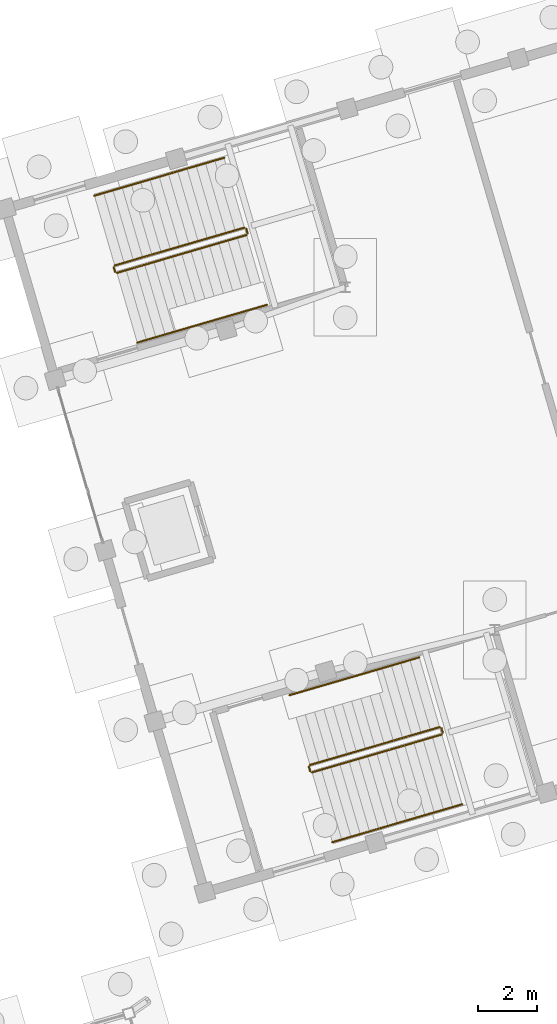
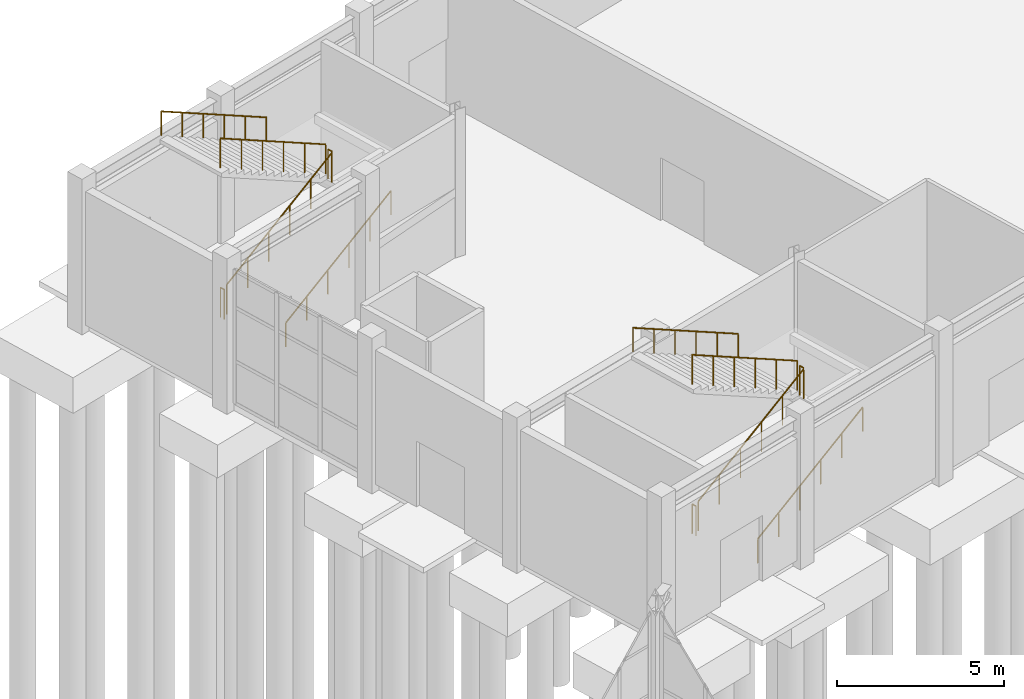
# One storey, part 85 of 90: 12 railings.
"""IFC4 building model written with IfcOpenShell, lengths in metres."""

from ifc_helpers import new_model, si_unit, direction, frame, origin, origin_2d, place, context, subcontext, project, spatial, circle, extrude, material, type_object, element, save


model = new_model("IFC4")

# Units and contexts
model_context = context("Model", 3, precision=1e-05, world=origin(), true_north=direction((0.0, 1.0)))
body_context = subcontext(model_context, "Body", "Model", "MODEL_VIEW")
ifc_project = project(units=[si_unit("LENGTHUNIT", "METRE"), si_unit("AREAUNIT", "SQUARE_METRE"), si_unit("VOLUMEUNIT", "CUBIC_METRE"), si_unit("PLANEANGLEUNIT", "RADIAN"), si_unit("MASSUNIT", "GRAM", prefix="KILO")], contexts=[model_context])

# Site, building, storey
site_placement = place(None, origin())
site = spatial("IfcSite", under=ifc_project, at=site_placement, CompositionType="ELEMENT")
building_placement = place(site_placement, origin())
building = spatial("IfcBuilding", under=site, at=building_placement, Name="Canggui Botanical Conservatory", CompositionType="ELEMENT")
storey_placement = place(building_placement, origin())
storey = spatial("IfcBuildingStorey", under=building, at=storey_placement, Name="L01", CompositionType="ELEMENT", Elevation=0.0)

# Railings
ifc_material = material(Name="Stainless Steel 304", Category="steel")
railing_type_1 = type_object("IfcRailingType", Name="RAIL-GUARD-1100", PredefinedType="BALUSTRADE", material=ifc_material)
railing_1_placement = place(storey_placement, frame((69.6123046875, 94.043212890625, 0.179931640625)))
element("IfcRailing", 1, at=railing_1_placement, inside=storey, type_object=railing_type_1, Name="L01 ST-A1 stair guard 1", PredefinedType="BALUSTRADE", context=body_context, shape_type="SweptSolid", body=[
    extrude(circle(Radius=0.02392578125, at=origin_2d()), frame((0.0, 0.0, 1.076171875), z_axis=(0.839810405543, 0.244921232737, 0.48449156081), x_axis=(-0.279975275375, 0.960007211003, 0.0)), (0.0, 0.0, 1.0), 5.201416015625),
    extrude(circle(Radius=0.02099609375, at=origin_2d()), origin(), (0.0, 0.0, 1.0), 1.052001953125),
    extrude(circle(Radius=0.02099609375, at=origin_2d()), frame((0.87353515625, 0.2548828125, 0.50390625)), (0.0, 0.0, 1.0), 1.052001953125),
    extrude(circle(Radius=0.02099609375, at=origin_2d()), frame((1.747314453125, 0.509521484375, 1.008056640625)), (0.0, 0.0, 1.0), 1.052001953125),
    extrude(circle(Radius=0.02099609375, at=origin_2d()), frame((2.620849609375, 0.764404296875, 1.511962890625)), (0.0, 0.0, 1.0), 1.052001953125),
    extrude(circle(Radius=0.02099609375, at=origin_2d()), frame((3.49462890625, 1.01904296875, 2.01611328125)), (0.0, 0.0, 1.0), 1.052001953125),
    extrude(circle(Radius=0.02099609375, at=origin_2d()), frame((4.3681640625, 1.27392578125, 2.52001953125)), (0.0, 0.0, 1.0), 1.052001953125),
])
railing_2_placement = place(storey_placement, frame((74.014404296875, 95.379150390625, 2.699951171875)))
element("IfcRailing", 2, at=railing_2_placement, inside=storey, type_object=railing_type_1, Name="L01 ST-A1 stair guard 2", PredefinedType="BALUSTRADE", context=body_context, shape_type="SweptSolid", body=[
    extrude(circle(Radius=0.02392578125, at=origin_2d()), frame((0.0, 0.0, 1.076171875), z_axis=(-0.28076163037, 0.959777529906, 0.0), x_axis=(-0.959777529906, -0.28076163037, 0.0)), (0.0, 0.0, 1.0), 0.159912109375),
    extrude(circle(Radius=0.02099609375, at=origin_2d()), origin(), (0.0, 0.0, 1.0), 1.052001953125),
    extrude(circle(Radius=0.02099609375, at=origin_2d()), frame((-0.044921875, 0.153564453125, 0.0)), (0.0, 0.0, 1.0), 1.052001953125),
])
railing_3_placement = place(storey_placement, frame((73.90771484375, 95.56689453125, 2.8798828125)))
element("IfcRailing", 3, at=railing_3_placement, inside=storey, type_object=railing_type_1, Name="L01 ST-A1 stair guard 3", PredefinedType="BALUSTRADE", context=body_context, shape_type="SweptSolid", body=[
    extrude(circle(Radius=0.02392578125, at=origin_2d()), frame((0.0, 0.0, 1.076171875), z_axis=(-0.839800750279, -0.244965354108, 0.484485990631), x_axis=(0.280024724067, -0.959992788468, 0.0)), (0.0, 0.0, 1.0), 5.201416015625),
    extrude(circle(Radius=0.02099609375, at=origin_2d()), origin(), (0.0, 0.0, 1.0), 1.052001953125),
    extrude(circle(Radius=0.02099609375, at=origin_2d()), frame((-0.87353515625, -0.2548828125, 0.50390625)), (0.0, 0.0, 1.0), 1.052001953125),
    extrude(circle(Radius=0.02099609375, at=origin_2d()), frame((-1.747314453125, -0.509765625, 1.008056640625)), (0.0, 0.0, 1.0), 1.052001953125),
    extrude(circle(Radius=0.02099609375, at=origin_2d()), frame((-2.620849609375, -0.764404296875, 1.511962890625)), (0.0, 0.0, 1.0), 1.052001953125),
    extrude(circle(Radius=0.02099609375, at=origin_2d()), frame((-3.49462890625, -1.019287109375, 2.01611328125)), (0.0, 0.0, 1.0), 1.052001953125),
    extrude(circle(Radius=0.02099609375, at=origin_2d()), frame((-4.3681640625, -1.274169921875, 2.52001953125)), (0.0, 0.0, 1.0), 1.052001953125),
])
railing_4_placement = place(storey_placement, frame((69.55029296875, 94.0771484375, 0.0)))
element("IfcRailing", 4, at=railing_4_placement, inside=storey, type_object=railing_type_1, Name="L01 ST-A1 stair guard 4", PredefinedType="BALUSTRADE", context=body_context, shape_type="SweptSolid", body=[
    extrude(circle(Radius=0.02392578125, at=origin_2d()), frame((0.0, 0.0, 1.076171875), z_axis=(-0.279355130244, 0.960187852041, 0.0), x_axis=(-0.960187852041, -0.279355130244, 0.0)), (0.0, 0.0, 1.0), 0.159912109375),
    extrude(circle(Radius=0.02099609375, at=origin_2d()), origin(), (0.0, 0.0, 1.0), 1.052001953125),
    extrude(circle(Radius=0.02099609375, at=origin_2d()), frame((-0.044677734375, 0.153564453125, 0.0)), (0.0, 0.0, 1.0), 1.052001953125),
])
railing_5_placement = place(storey_placement, frame((63.036376953125, 110.875244140625, 0.179931640625)))
element("IfcRailing", 5, at=railing_5_placement, inside=storey, type_object=railing_type_1, Name="L01 ST-A2 stair guard 1", PredefinedType="BALUSTRADE", context=body_context, shape_type="SweptSolid", body=[
    extrude(circle(Radius=0.02392578125, at=origin_2d()), frame((0.0, 0.0, 1.076171875), z_axis=(0.8397965713, 0.244930887544, 0.484510659491), x_axis=(-0.279989697565, 0.960003004817, 0.0)), (0.0, 0.0, 1.0), 5.201171875),
    extrude(circle(Radius=0.02099609375, at=origin_2d()), origin(), (0.0, 0.0, 1.0), 1.052001953125),
    extrude(circle(Radius=0.02099609375, at=origin_2d()), frame((0.87353515625, 0.2548828125, 0.50390625)), (0.0, 0.0, 1.0), 1.052001953125),
    extrude(circle(Radius=0.02099609375, at=origin_2d()), frame((1.7470703125, 0.509521484375, 1.008056640625)), (0.0, 0.0, 1.0), 1.052001953125),
    extrude(circle(Radius=0.02099609375, at=origin_2d()), frame((2.620849609375, 0.764404296875, 1.511962890625)), (0.0, 0.0, 1.0), 1.052001953125),
    extrude(circle(Radius=0.02099609375, at=origin_2d()), frame((3.494384765625, 1.01904296875, 2.01611328125)), (0.0, 0.0, 1.0), 1.052001953125),
    extrude(circle(Radius=0.02099609375, at=origin_2d()), frame((4.367919921875, 1.27392578125, 2.52001953125)), (0.0, 0.0, 1.0), 1.052001953125),
])
railing_6_placement = place(storey_placement, frame((67.4384765625, 112.211181640625, 2.699951171875)))
element("IfcRailing", 6, at=railing_6_placement, inside=storey, type_object=railing_type_1, Name="L01 ST-A2 stair guard 2", PredefinedType="BALUSTRADE", context=body_context, shape_type="SweptSolid", body=[
    extrude(circle(Radius=0.02392578125, at=origin_2d()), frame((0.0, 0.0, 1.076171875), z_axis=(-0.28076163037, 0.959777529906, 0.0), x_axis=(-0.959777529906, -0.28076163037, 0.0)), (0.0, 0.0, 1.0), 0.159912109375),
    extrude(circle(Radius=0.02099609375, at=origin_2d()), origin(), (0.0, 0.0, 1.0), 1.052001953125),
    extrude(circle(Radius=0.02099609375, at=origin_2d()), frame((-0.044921875, 0.153564453125, 0.0)), (0.0, 0.0, 1.0), 1.052001953125),
])
railing_7_placement = place(storey_placement, frame((67.33154296875, 112.398681640625, 2.8798828125)))
element("IfcRailing", 7, at=railing_7_placement, inside=storey, type_object=railing_type_1, Name="L01 ST-A2 stair guard 3", PredefinedType="BALUSTRADE", context=body_context, shape_type="SweptSolid", body=[
    extrude(circle(Radius=0.02392578125, at=origin_2d()), frame((0.0, 0.0, 1.076171875), z_axis=(-0.8397965713, -0.244930887544, 0.484510659491), x_axis=(0.279989697565, -0.960003004817, 0.0)), (0.0, 0.0, 1.0), 5.201171875),
    extrude(circle(Radius=0.02099609375, at=origin_2d()), origin(), (0.0, 0.0, 1.0), 1.052001953125),
    extrude(circle(Radius=0.02099609375, at=origin_2d()), frame((-0.87353515625, -0.2548828125, 0.50390625)), (0.0, 0.0, 1.0), 1.052001953125),
    extrude(circle(Radius=0.02099609375, at=origin_2d()), frame((-1.7470703125, -0.509521484375, 1.008056640625)), (0.0, 0.0, 1.0), 1.052001953125),
    extrude(circle(Radius=0.02099609375, at=origin_2d()), frame((-2.620849609375, -0.764404296875, 1.511962890625)), (0.0, 0.0, 1.0), 1.052001953125),
    extrude(circle(Radius=0.02099609375, at=origin_2d()), frame((-3.494384765625, -1.01904296875, 2.01611328125)), (0.0, 0.0, 1.0), 1.052001953125),
    extrude(circle(Radius=0.02099609375, at=origin_2d()), frame((-4.367919921875, -1.27392578125, 2.52001953125)), (0.0, 0.0, 1.0), 1.052001953125),
])
railing_8_placement = place(storey_placement, frame((62.974365234375, 110.9091796875, 0.0)))
element("IfcRailing", 8, at=railing_8_placement, inside=storey, type_object=railing_type_1, Name="L01 ST-A2 stair guard 4", PredefinedType="BALUSTRADE", context=body_context, shape_type="SweptSolid", body=[
    extrude(circle(Radius=0.02392578125, at=origin_2d()), frame((0.0, 0.0, 1.076171875), z_axis=(-0.279355130244, 0.960187852041, 0.0), x_axis=(-0.960187852041, -0.279355130244, 0.0)), (0.0, 0.0, 1.0), 0.159912109375),
    extrude(circle(Radius=0.02099609375, at=origin_2d()), origin(), (0.0, 0.0, 1.0), 1.052001953125),
    extrude(circle(Radius=0.02099609375, at=origin_2d()), frame((-0.044677734375, 0.153564453125, 0.0)), (0.0, 0.0, 1.0), 1.052001953125),
])
railing_type_2 = type_object("IfcRailingType", Name="RAIL-HAND-900", PredefinedType="HANDRAIL", material=ifc_material)
railing_9_placement = place(storey_placement, frame((70.29833984375, 91.691162109375, 0.179931640625)))
element("IfcRailing", 9, at=railing_9_placement, inside=storey, type_object=railing_type_2, Name="L01 ST-A1 stair handrail 1", PredefinedType="HANDRAIL", context=body_context, shape_type="SweptSolid", body=[
    extrude(circle(Radius=0.02392578125, at=origin_2d()), frame((0.0, 0.0, 0.8759765625), z_axis=(0.839810405543, 0.244921232737, 0.48449156081), x_axis=(-0.279975275375, 0.960007211003, 0.0)), (0.0, 0.0, 1.0), 5.201416015625),
    extrude(circle(Radius=0.02099609375, at=origin_2d()), origin(), (0.0, 0.0, 1.0), 0.851806640625),
    extrude(circle(Radius=0.02099609375, at=origin_2d()), frame((0.87353515625, 0.2548828125, 0.50390625)), (0.0, 0.0, 1.0), 0.851806640625),
    extrude(circle(Radius=0.02099609375, at=origin_2d()), frame((1.747314453125, 0.509521484375, 1.008056640625)), (0.0, 0.0, 1.0), 0.851806640625),
    extrude(circle(Radius=0.02099609375, at=origin_2d()), frame((2.620849609375, 0.764404296875, 1.511962890625)), (0.0, 0.0, 1.0), 0.851806640625),
    extrude(circle(Radius=0.02099609375, at=origin_2d()), frame((3.49462890625, 1.01904296875, 2.01611328125)), (0.0, 0.0, 1.0), 0.851806640625),
    extrude(circle(Radius=0.02099609375, at=origin_2d()), frame((4.3681640625, 1.27392578125, 2.52001953125)), (0.0, 0.0, 1.0), 0.851806640625),
])
railing_10_placement = place(storey_placement, frame((73.2216796875, 97.918701171875, 2.8798828125)))
element("IfcRailing", 10, at=railing_10_placement, inside=storey, type_object=railing_type_2, Name="L01 ST-A1 stair handrail 2", PredefinedType="HANDRAIL", context=body_context, shape_type="SweptSolid", body=[
    extrude(circle(Radius=0.02392578125, at=origin_2d()), frame((0.0, 0.0, 0.8759765625), z_axis=(-0.839810405543, -0.244921232737, 0.48449156081), x_axis=(0.279975275375, -0.960007211003, 0.0)), (0.0, 0.0, 1.0), 5.201416015625),
    extrude(circle(Radius=0.02099609375, at=origin_2d()), origin(), (0.0, 0.0, 1.0), 0.851806640625),
    extrude(circle(Radius=0.02099609375, at=origin_2d()), frame((-0.87353515625, -0.2548828125, 0.50390625)), (0.0, 0.0, 1.0), 0.851806640625),
    extrude(circle(Radius=0.02099609375, at=origin_2d()), frame((-1.747314453125, -0.509521484375, 1.008056640625)), (0.0, 0.0, 1.0), 0.851806640625),
    extrude(circle(Radius=0.02099609375, at=origin_2d()), frame((-2.620849609375, -0.764404296875, 1.511962890625)), (0.0, 0.0, 1.0), 0.851806640625),
    extrude(circle(Radius=0.02099609375, at=origin_2d()), frame((-3.49462890625, -1.01904296875, 2.01611328125)), (0.0, 0.0, 1.0), 0.851806640625),
    extrude(circle(Radius=0.02099609375, at=origin_2d()), frame((-4.3681640625, -1.27392578125, 2.52001953125)), (0.0, 0.0, 1.0), 0.851806640625),
])
railing_11_placement = place(storey_placement, frame((63.722412109375, 108.523193359375, 0.179931640625)))
element("IfcRailing", 11, at=railing_11_placement, inside=storey, type_object=railing_type_2, Name="L01 ST-A2 stair handrail 1", PredefinedType="HANDRAIL", context=body_context, shape_type="SweptSolid", body=[
    extrude(circle(Radius=0.02392578125, at=origin_2d()), frame((0.0, 0.0, 0.8759765625), z_axis=(0.8397965713, 0.244930887544, 0.484510659491), x_axis=(-0.279989697565, 0.960003004817, 0.0)), (0.0, 0.0, 1.0), 5.201171875),
    extrude(circle(Radius=0.02099609375, at=origin_2d()), origin(), (0.0, 0.0, 1.0), 0.851806640625),
    extrude(circle(Radius=0.02099609375, at=origin_2d()), frame((0.87353515625, 0.2548828125, 0.50390625)), (0.0, 0.0, 1.0), 0.851806640625),
    extrude(circle(Radius=0.02099609375, at=origin_2d()), frame((1.7470703125, 0.509521484375, 1.008056640625)), (0.0, 0.0, 1.0), 0.851806640625),
    extrude(circle(Radius=0.02099609375, at=origin_2d()), frame((2.620849609375, 0.764404296875, 1.511962890625)), (0.0, 0.0, 1.0), 0.851806640625),
    extrude(circle(Radius=0.02099609375, at=origin_2d()), frame((3.494384765625, 1.01904296875, 2.01611328125)), (0.0, 0.0, 1.0), 0.851806640625),
    extrude(circle(Radius=0.02099609375, at=origin_2d()), frame((4.367919921875, 1.27392578125, 2.52001953125)), (0.0, 0.0, 1.0), 0.851806640625),
])
railing_12_placement = place(storey_placement, frame((66.6455078125, 114.750732421875, 2.8798828125)))
element("IfcRailing", 12, at=railing_12_placement, inside=storey, type_object=railing_type_2, Name="L01 ST-A2 stair handrail 2", PredefinedType="HANDRAIL", context=body_context, shape_type="SweptSolid", body=[
    extrude(circle(Radius=0.02392578125, at=origin_2d()), frame((0.0, 0.0, 0.8759765625), z_axis=(-0.8397965713, -0.244930887544, 0.484510659491), x_axis=(0.279989697565, -0.960003004817, 0.0)), (0.0, 0.0, 1.0), 5.201171875),
    extrude(circle(Radius=0.02099609375, at=origin_2d()), origin(), (0.0, 0.0, 1.0), 0.851806640625),
    extrude(circle(Radius=0.02099609375, at=origin_2d()), frame((-0.87353515625, -0.2548828125, 0.50390625)), (0.0, 0.0, 1.0), 0.851806640625),
    extrude(circle(Radius=0.02099609375, at=origin_2d()), frame((-1.7470703125, -0.509521484375, 1.008056640625)), (0.0, 0.0, 1.0), 0.851806640625),
    extrude(circle(Radius=0.02099609375, at=origin_2d()), frame((-2.620849609375, -0.764404296875, 1.511962890625)), (0.0, 0.0, 1.0), 0.851806640625),
    extrude(circle(Radius=0.02099609375, at=origin_2d()), frame((-3.494384765625, -1.01904296875, 2.01611328125)), (0.0, 0.0, 1.0), 0.851806640625),
    extrude(circle(Radius=0.02099609375, at=origin_2d()), frame((-4.367919921875, -1.27392578125, 2.52001953125)), (0.0, 0.0, 1.0), 0.851806640625),
])

save(model, "model.ifc")
